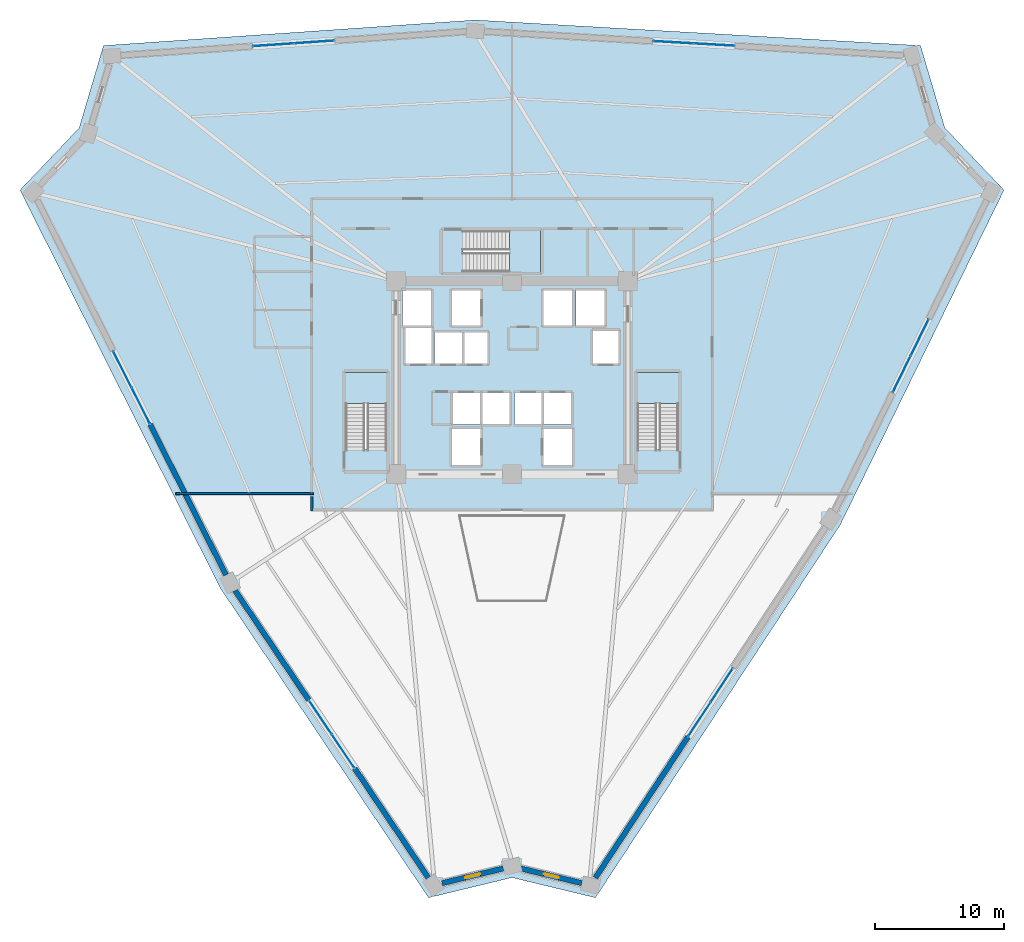
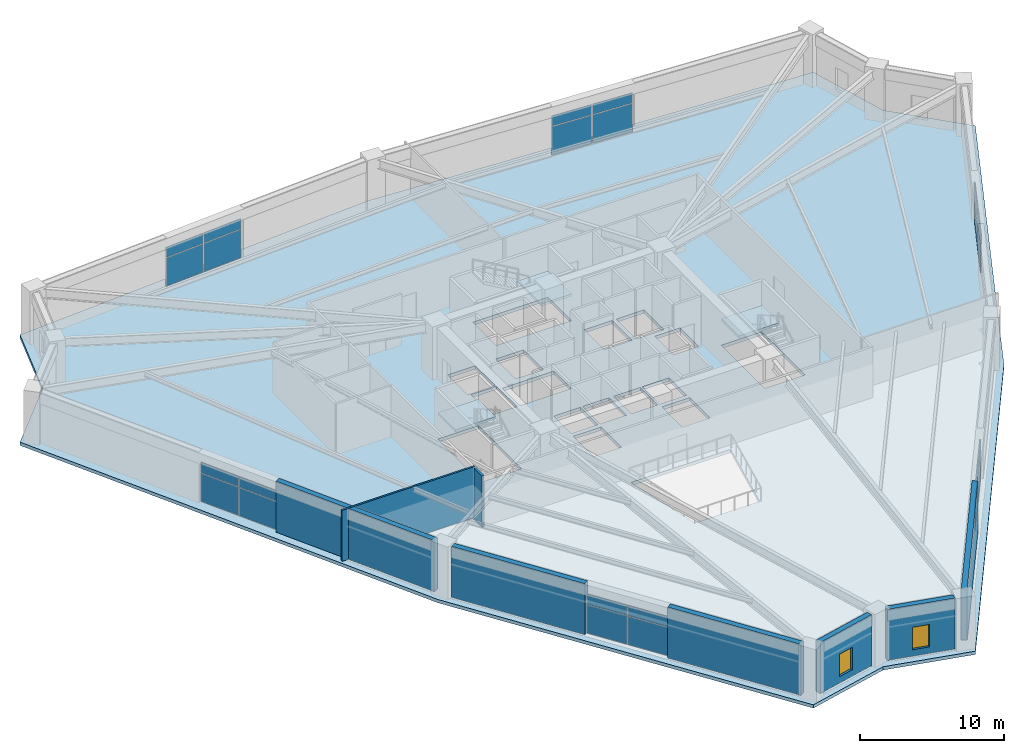
# One storey, part 24 of 30: 24 plates, 8 walls, 4 slabs, 2 windows, 2 openings, 9 elements without a shape of their own.
"""IFC4 building model written with IfcOpenShell, lengths in metres."""

import ifcopenshell
import ifcopenshell.guid

model = None  # the IFC model being written
_history = None  # IfcOwnerHistory: only IFC2X3 demands one
_inside = {}  # id of a spatial element -> (the spatial element, [elements in it])
_under = {}  # id of a project, library or spatial element -> (it, [spatial elements below it])
_declared = {}  # id of a project -> (the project, [libraries it declares])
_typed = {}  # id of a type object -> (the type object, [elements of that type])
_made_of = {}  # id of a material, layer set ... -> (it, [elements and type objects made of it])


def new_model(schema):
    """Start an empty IFC model of exactly this schema.

    Asked for "IFC4X3", IfcOpenShell would pick the latest addendum, in which some entities
    have other attributes; the version numbers below select the first issue.
    IFC2X3 requires an IfcOwnerHistory on every rooted entity: one is made here for all.
    """
    global model, _history
    if schema == "IFC4X3":
        model = ifcopenshell.file(schema_version=(4, 3, 0, 0))
    else:
        model = ifcopenshell.file(schema=schema)
    _inside.clear()
    _under.clear()
    _declared.clear()
    _typed.clear()
    _made_of.clear()
    _history = None
    if model.schema == "IFC2X3":
        org = make("IfcOrganization", Name="unknown")
        user = make(
            "IfcPersonAndOrganization",
            ThePerson=make("IfcPerson", FamilyName="unknown"),
            TheOrganization=org,
        )
        app = make(
            "IfcApplication",
            ApplicationDeveloper=org,
            Version="unknown",
            ApplicationFullName="unknown",
            ApplicationIdentifier="unknown",
        )
        _history = make(
            "IfcOwnerHistory",
            OwningUser=user,
            OwningApplication=app,
            ChangeAction="ADDED",
            CreationDate=0,
        )
    return model


def make(cls, **values):
    """One entity of the class cls with the attributes given. An attribute that is None is left unset."""
    return model.create_entity(
        cls, **{name: value for name, value in values.items() if value is not None}
    )


def rooted(cls, **values):
    """An entity with a GlobalId (a new one), such as an element, a storey or a relation."""
    return make(cls, GlobalId=ifcopenshell.guid.new(), OwnerHistory=_history, **values)


def si_unit(unit_type, name, prefix=None):
    """IfcSIUnit, for example si_unit("LENGTHUNIT", "METRE", prefix="MILLI")."""
    return make("IfcSIUnit", UnitType=unit_type, Prefix=prefix, Name=name)


def assignment(units):
    """IfcUnitAssignment: the units of a project."""
    return None if units is None else make("IfcUnitAssignment", Units=units)


def point(xyz):
    """IfcCartesianPoint."""
    return None if xyz is None else make("IfcCartesianPoint", Coordinates=xyz)


def direction(xyz):
    """IfcDirection."""
    return None if xyz is None else make("IfcDirection", DirectionRatios=xyz)


def frame(location, z_axis=None, x_axis=None):
    """IfcAxis2Placement3D, a coordinate frame: its origin and axes. An axis left out is left unset."""
    return make(
        "IfcAxis2Placement3D",
        Location=point(location),
        Axis=direction(z_axis),
        RefDirection=direction(x_axis),
    )


def frame_2d(location, x_axis=None):
    """IfcAxis2Placement2D, a coordinate frame in the plane: its origin and x axis."""
    return make(
        "IfcAxis2Placement2D", Location=point(location), RefDirection=direction(x_axis)
    )


def origin():
    """The frame at (0, 0, 0) with its axes left unset."""
    return frame((0.0, 0.0, 0.0))


def origin_2d():
    """The frame at (0, 0) in the plane with its x axis left unset."""
    return frame_2d((0.0, 0.0))


def place(relative_to, where):
    """IfcLocalPlacement: puts the frame where relative to a parent placement (None: the world)."""
    return make(
        "IfcLocalPlacement", PlacementRelTo=relative_to, RelativePlacement=where
    )


def context(
    kind, dimensions, precision=None, world=None, true_north=None, identifier=None
):
    """IfcGeometricRepresentationContext, for example the 3D "Model" context."""
    return make(
        "IfcGeometricRepresentationContext",
        ContextIdentifier=identifier,
        ContextType=kind,
        CoordinateSpaceDimension=dimensions,
        Precision=precision,
        WorldCoordinateSystem=world,
        TrueNorth=true_north,
    )


def subcontext(parent, identifier, kind, view, scale=None):
    """IfcGeometricRepresentationSubContext, for example "Body" below "Model"."""
    return make(
        "IfcGeometricRepresentationSubContext",
        ContextIdentifier=identifier,
        ContextType=kind,
        ParentContext=parent,
        TargetScale=scale,
        TargetView=view,
    )


def project(units=None, contexts=None):
    """IfcProject with its units and contexts."""
    return rooted(
        "IfcProject",
        Name="project",
        RepresentationContexts=contexts,
        UnitsInContext=assignment(units),
    )


def spatial(cls, under=None, at=None, **own):
    """A site, building, storey or space (cls), placed at a placement, below another one or the project."""
    s = rooted(cls, ObjectPlacement=at, **own)
    if under is not None:
        _under.setdefault(under.id(), (under, []))[1].append(s)
    return s


def polyline(points):
    """IfcPolyline through the points."""
    return make("IfcPolyline", Points=[point(p) for p in points])


def profile(cls, at=None, kind="AREA", **sizes):
    """A parametric profile (cls). Its sizes go by their IFC names, for example OverallWidth=200.0."""
    return make(cls, ProfileType=kind, Position=at, **sizes)


def rectangle(**sizes):
    """IfcRectangleProfileDef."""
    return profile("IfcRectangleProfileDef", **sizes)


def outline(outer, holes=None, kind="AREA"):
    """IfcArbitraryClosedProfileDef: a profile drawn as a closed curve; with holes, ...WithVoids."""
    if holes is None:
        return make("IfcArbitraryClosedProfileDef", ProfileType=kind, OuterCurve=outer)
    return make(
        "IfcArbitraryProfileDefWithVoids",
        ProfileType=kind,
        OuterCurve=outer,
        InnerCurves=holes,
    )


def extrude(swept, where, along, depth):
    """IfcExtrudedAreaSolid: the profile swept, set in the frame where, extruded along a direction by depth."""
    return make(
        "IfcExtrudedAreaSolid",
        SweptArea=swept,
        Position=where,
        ExtrudedDirection=direction(along),
        Depth=depth,
    )


def shape(context_of_items, identifier, shape_type, items):
    """IfcShapeRepresentation: the items that make up one representation, for example the "Body"."""
    return make(
        "IfcShapeRepresentation",
        ContextOfItems=context_of_items,
        RepresentationIdentifier=identifier,
        RepresentationType=shape_type,
        Items=items,
    )


def source(mapping_origin, context_of_items, identifier, shape_type, items):
    """IfcRepresentationMap: a shape defined once, which mapped items show again and again."""
    return make(
        "IfcRepresentationMap",
        MappingOrigin=mapping_origin,
        MappedRepresentation=shape(context_of_items, identifier, shape_type, items),
    )


def transform(
    local_origin,
    x_axis=None,
    y_axis=None,
    z_axis=None,
    scale=None,
    scale2=None,
    scale3=None,
    uniform=True,
):
    """IfcCartesianTransformationOperator3D, or its non-uniform kind. x_axis, y_axis, z_axis: its Axis1, 2, 3."""
    if uniform:
        return make(
            "IfcCartesianTransformationOperator3D",
            Axis1=direction(x_axis),
            Axis2=direction(y_axis),
            LocalOrigin=point(local_origin),
            Scale=scale,
            Axis3=direction(z_axis),
        )
    return make(
        "IfcCartesianTransformationOperator3DnonUniform",
        Axis1=direction(x_axis),
        Axis2=direction(y_axis),
        LocalOrigin=point(local_origin),
        Scale=scale,
        Axis3=direction(z_axis),
        Scale2=scale2,
        Scale3=scale3,
    )


def mapped(mapping_source, mapping_target):
    """IfcMappedItem: shows the shape of a source again, moved by a transform."""
    return make(
        "IfcMappedItem", MappingSource=mapping_source, MappingTarget=mapping_target
    )


def material(Name=None, Category=None):
    """IfcMaterial."""
    return make("IfcMaterial", Name=Name, Category=Category)


def layer(
    of_material, thickness, ventilated=None, Name=None, Category=None, Priority=None
):
    """IfcMaterialLayer: one layer of a wall or slab, of a material (None: an air gap)."""
    return make(
        "IfcMaterialLayer",
        Material=of_material,
        LayerThickness=thickness,
        IsVentilated=ventilated,
        Name=Name,
        Category=Category,
        Priority=Priority,
    )


def layer_set(layers, Name=None):
    """IfcMaterialLayerSet."""
    return make("IfcMaterialLayerSet", MaterialLayers=layers, LayerSetName=Name)


def made_of(thing, what):
    """Note that an element or type object is made of a material, layer set ...; save() writes the relation."""
    if what is not None:
        _made_of.setdefault(what.id(), (what, []))[1].append(thing)
    return thing


def type_object(cls, material=None, **own):
    """A type object (cls), such as IfcWallType, which elements share."""
    return made_of(rooted(cls, **own), material)


def element(
    cls,
    number,
    at=None,
    inside=None,
    cuts=None,
    type_object=None,
    material=None,
    context=None,
    identifier="Body",
    shape_type=None,
    held_by="IfcProductDefinitionShape",
    body=None,
    shapes=None,
    **own,
):
    """One element of the class cls, such as IfcWall. Its Tag is "e" and its number.

    at: its placement. inside: the storey or other place that contains it. cuts: it is an
    opening in that element (IfcRelVoidsElement). A single representation is given by context,
    identifier, shape_type and body (its items); several are given by shapes. held_by: the class
    of the entity that holds the representations. save() writes the other relations.
    """
    e = rooted(cls, Tag="e%d" % number, ObjectPlacement=at, **own)
    if body is not None:
        shapes = [shape(context, identifier, shape_type, body)]
    if shapes is not None:
        e.Representation = make(held_by, Representations=shapes)
    if inside is not None:
        _inside.setdefault(inside.id(), (inside, []))[1].append(e)
    if cuts is not None:
        rooted(
            "IfcRelVoidsElement", RelatingBuildingElement=cuts, RelatedOpeningElement=e
        )
    if type_object is not None:
        _typed.setdefault(type_object.id(), (type_object, []))[1].append(e)
    return made_of(e, material)


def fill(opening, filler):
    """IfcRelFillsElement: the door or window that sits in an opening."""
    return rooted(
        "IfcRelFillsElement",
        RelatingOpeningElement=opening,
        RelatedBuildingElement=filler,
    )


def aggregate(whole, parts):
    """IfcRelAggregates: a whole, such as a stair, and the parts it consists of."""
    return rooted("IfcRelAggregates", RelatingObject=whole, RelatedObjects=parts)


def save(model, path):
    """Write the relations noted so far, then the file.

    IfcRelAggregates (storeys below a building ...), IfcRelContainedInSpatialStructure (elements
    in a storey), IfcRelDefinesByType, IfcRelAssociatesMaterial and IfcRelDeclares: one each for
    every whole, place, type object, material and project.
    """
    for whole, parts in _under.values():
        aggregate(whole, parts)
    for where, things in _inside.values():
        rooted(
            "IfcRelContainedInSpatialStructure",
            RelatedElements=things,
            RelatingStructure=where,
        )
    for kind, things in _typed.values():
        rooted("IfcRelDefinesByType", RelatedObjects=things, RelatingType=kind)
    for what, things in _made_of.values():
        rooted("IfcRelAssociatesMaterial", RelatedObjects=things, RelatingMaterial=what)
    for by, libraries in _declared.values():
        rooted("IfcRelDeclares", RelatingContext=by, RelatedDefinitions=libraries)
    model.write(path)


model = new_model("IFC4")

# Units and contexts
model_context = context("Model", 3, precision=1e-05, world=origin(), true_north=direction((0.0, 1.0)))
body_context = subcontext(model_context, "Body", "Model", "MODEL_VIEW")
ifc_project = project(units=[si_unit("LENGTHUNIT", "METRE"), si_unit("AREAUNIT", "SQUARE_METRE"), si_unit("VOLUMEUNIT", "CUBIC_METRE"), si_unit("PLANEANGLEUNIT", "RADIAN"), si_unit("MASSUNIT", "GRAM", prefix="KILO")], contexts=[model_context])

# Site, building, storey
site_placement = place(None, origin())
site = spatial("IfcSite", under=ifc_project, at=site_placement, CompositionType="ELEMENT")
building_placement = place(site_placement, origin())
building = spatial("IfcBuilding", under=site, at=building_placement, Name="Liaohun Quay Tower", CompositionType="ELEMENT")
storey_placement = place(building_placement, frame((0.0, 0.0, 97.5)))
storey = spatial("IfcBuildingStorey", under=building, at=storey_placement, Name="L25", CompositionType="ELEMENT", Elevation=97.5)

# Stair, slab
ifc_material_1 = material(Name="Concrete C45", Category="concrete")
stair_type = type_object("IfcStairType", Name="STR-CORE-TALL", PredefinedType="HALF_TURN_STAIR", material=ifc_material_1)
stair_1_placement = place(storey_placement, origin())
stair_1 = element("IfcStair", 1, at=stair_1_placement, inside=storey, type_object=stair_type, Name="L25 Smokeproof Core Exit Stair ST-1", PredefinedType="HALF_TURN_STAIR")
ifc_layer_1 = layer(ifc_material_1, 0.199951171875, Name="Concrete C45", Category="concrete")
ifc_layer_set_1 = layer_set([ifc_layer_1], Name="Concrete C45")
slab_type_1 = type_object("IfcSlabType", Name="SLB-LND-200", PredefinedType="LANDING", material=ifc_layer_set_1)
slab_1_placement = place(storey_placement, frame((0.0, 0.0, 2.050048828125)))
slab_1 = element("IfcSlab", 2, at=slab_1_placement, type_object=slab_type_1, Name="ST-1 landing 1", PredefinedType="LANDING", context=body_context, shape_type="SweptSolid", body=[
    extrude(outline(polyline([(50.280029296875, 51.989990234375), (50.280029296875, 54.419921875), (47.0400390625, 54.419921875), (47.0400390625, 51.989990234375), (50.280029296875, 51.989990234375)])), origin(), (0.0, 0.0, 1.0), 0.199951171875),
])
aggregate(stair_1, [slab_1])

stair_2_placement = place(storey_placement, origin())
stair_2 = element("IfcStair", 3, at=stair_2_placement, inside=storey, type_object=stair_type, Name="L25 Smokeproof Core Exit Stair ST-2", PredefinedType="HALF_TURN_STAIR")
slab_2_placement = place(storey_placement, frame((0.0, 0.0, 2.050048828125)))
slab_2 = element("IfcSlab", 4, at=slab_2_placement, type_object=slab_type_1, Name="ST-2 landing 1", PredefinedType="LANDING", context=body_context, shape_type="SweptSolid", body=[
    extrude(outline(polyline([(72.9599609375, 51.989990234375), (72.9599609375, 54.419921875), (69.719970703125, 54.419921875), (69.719970703125, 51.989990234375), (72.9599609375, 51.989990234375)])), origin(), (0.0, 0.0, 1.0), 0.199951171875),
])
aggregate(stair_2, [slab_2])

stair_3_placement = place(storey_placement, origin())
stair_3 = element("IfcStair", 5, at=stair_3_placement, inside=storey, type_object=stair_type, Name="L25 Smokeproof Core Exit Stair ST-3", PredefinedType="HALF_TURN_STAIR")
slab_3_placement = place(storey_placement, frame((0.0, 0.0, 2.050048828125)))
slab_3 = element("IfcSlab", 6, at=slab_3_placement, type_object=slab_type_1, Name="ST-3 landing 1", PredefinedType="LANDING", context=body_context, shape_type="SweptSolid", body=[
    extrude(outline(polyline([(59.7900390625, 62.199951171875), (62.219970703125, 62.199951171875), (62.219970703125, 65.43994140625), (59.7900390625, 65.43994140625), (59.7900390625, 62.199951171875)])), origin(), (0.0, 0.0, 1.0), 0.199951171875),
])
aggregate(stair_3, [slab_3])

# Slab
ifc_material_2 = material(Name="Concrete C50", Category="concrete")
ifc_layer_2 = layer(ifc_material_2, 0.280029296875, Name="Concrete C50", Category="concrete")
ifc_layer_set_2 = layer_set([ifc_layer_2], Name="Concrete C50")
slab_type_2 = type_object("IfcSlabType", Name="SLB-REF-280", PredefinedType="FLOOR", material=ifc_layer_set_2)
slab_4_placement = place(storey_placement, frame((0.0, 0.0, -0.280029296875)))
element("IfcSlab", 7, at=slab_4_placement, inside=storey, type_object=slab_type_2, Name="L25 Structural Floor Slab", PredefinedType="FLOOR", context=body_context, shape_type="SweptSolid", body=[
    extrude(outline(polyline([(53.51708984375, 13.60302734375), (60.0, 15.1689453125), (66.48291015625, 13.60302734375), (85.5029296875, 42.574951171875), (98.22607421875, 68.583984375), (93.62890625, 73.416015625), (91.742919921875, 79.81298828125), (57.14306640625, 81.799072265625), (28.257080078125, 79.81298828125), (26.37109375, 73.416015625), (21.77392578125, 68.583984375), (37.35400390625, 37.626953125), (53.51708984375, 13.60302734375)]), holes=[polyline([(57.56005859375, 47.2099609375), (57.56005859375, 50.030029296875), (55.340087890625, 50.030029296875), (55.340087890625, 47.2099609375), (57.56005859375, 47.2099609375)]), polyline([(50.280029296875, 54.419921875), (47.0400390625, 54.419921875), (47.0400390625, 48.409912109375), (50.280029296875, 48.409912109375), (50.280029296875, 54.419921875)]), polyline([(57.510009765625, 50.389892578125), (57.510009765625, 52.81005859375), (55.389892578125, 52.81005859375), (55.389892578125, 50.389892578125), (57.510009765625, 50.389892578125)]), polyline([(59.81005859375, 50.389892578125), (59.81005859375, 52.81005859375), (57.68994140625, 52.81005859375), (57.68994140625, 50.389892578125), (59.81005859375, 50.389892578125)]), polyline([(58.110107421875, 57.510009765625), (53.989990234375, 57.510009765625), (53.989990234375, 55.090087890625), (58.110107421875, 55.090087890625), (58.110107421875, 57.510009765625)]), polyline([(53.760009765625, 55.090087890625), (53.760009765625, 57.909912109375), (51.7099609375, 57.909912109375), (51.7099609375, 55.090087890625), (53.760009765625, 55.090087890625)]), polyline([(51.489990234375, 58.0400390625), (53.7099609375, 58.0400390625), (53.7099609375, 60.7900390625), (51.489990234375, 60.7900390625), (51.489990234375, 58.0400390625)]), polyline([(55.340087890625, 58.0400390625), (57.56005859375, 58.0400390625), (57.56005859375, 60.7900390625), (55.340087890625, 60.7900390625), (55.340087890625, 58.0400390625)]), polyline([(62.591064453125, 36.7470703125), (63.986083984375, 43.199951171875), (56.013916015625, 43.199951171875), (57.408935546875, 36.7470703125), (62.591064453125, 36.7470703125)]), polyline([(64.659912109375, 47.2099609375), (64.659912109375, 50.030029296875), (62.43994140625, 50.030029296875), (62.43994140625, 47.2099609375), (64.659912109375, 47.2099609375)]), polyline([(72.9599609375, 54.419921875), (69.719970703125, 54.419921875), (69.719970703125, 48.409912109375), (72.9599609375, 48.409912109375), (72.9599609375, 54.419921875)]), polyline([(62.31005859375, 50.389892578125), (62.31005859375, 52.81005859375), (60.18994140625, 52.81005859375), (60.18994140625, 50.389892578125), (62.31005859375, 50.389892578125)]), polyline([(64.610107421875, 50.389892578125), (64.610107421875, 52.81005859375), (62.489990234375, 52.81005859375), (62.489990234375, 50.389892578125), (64.610107421875, 50.389892578125)]), polyline([(68.2900390625, 55.090087890625), (68.2900390625, 57.659912109375), (66.2900390625, 57.659912109375), (66.2900390625, 55.090087890625), (68.2900390625, 55.090087890625)]), polyline([(64.659912109375, 58.0400390625), (64.659912109375, 60.7900390625), (62.43994140625, 60.7900390625), (62.43994140625, 58.0400390625), (64.659912109375, 58.0400390625)]), polyline([(64.989990234375, 58.0400390625), (67.2099609375, 58.0400390625), (67.2099609375, 60.7900390625), (64.989990234375, 60.7900390625), (64.989990234375, 58.0400390625)]), polyline([(56.2099609375, 62.199951171875), (62.219970703125, 62.199951171875), (62.219970703125, 65.43994140625), (56.2099609375, 65.43994140625), (56.2099609375, 62.199951171875)])]), origin(), (0.0, 0.0, 1.0), 0.280029296875),
])

# Curtain wall, plates
ifc_material_3 = material(Name="Low-rise sky-lobby belvedere curtain wall")
ifc_layer_3 = layer(ifc_material_3, 0.199951171875, Name="Low-rise sky-lobby belvedere curtain wall")
ifc_layer_set_3 = layer_set([ifc_layer_3], Name="Low-rise sky-lobby belvedere curtain wall")
curtain_wall_type = type_object("IfcCurtainWallType", Name="CW-SKY-L25", PredefinedType="NOTDEFINED", material=ifc_layer_set_3)
curtain_wall_1_placement = place(storey_placement, origin())
curtain_wall_1 = element("IfcCurtainWall", 8, at=curtain_wall_1_placement, inside=storey, type_object=curtain_wall_type, Name="L25 Panoramic Belvedere Curtain Wall 01", PredefinedType="NOTDEFINED")
ifc_material_4 = material(Name="Triple Low-E clear insulated glass unit", Category="glass")
ifc_layer_4 = layer(ifc_material_4, 0.0439453125, Name="Triple Low-E clear insulated glass unit", Category="glass")
ifc_layer_set_4 = layer_set([ifc_layer_4], Name="Triple Low-E clear insulated glass unit")
plate_type = type_object("IfcPlateType", Name="PLT-CWP-GLZ1", PredefinedType="CURTAIN_PANEL", material=ifc_layer_set_4)
shared_shape_1 = source(origin(), body_context, "Body", "SweptSolid", [
    extrude(rectangle(XDim=3.102783203125, YDim=0.0439453125, at=origin_2d()), origin(), (0.0, 0.0, 1.0), 2.3720703125),
])
plate_1_placement = place(storey_placement, frame((74.56298828125, 27.459228515625, 0.06005859375), z_axis=(0.0, 0.0, 1.0), x_axis=(0.548700805343, 0.836018795372, 0.0)))
plate_1 = element("IfcPlate", 9, at=plate_1_placement, type_object=plate_type, Name="CW3 panel 1.1", PredefinedType="CURTAIN_PANEL", context=body_context, shape_type="MappedRepresentation", body=[
    mapped(shared_shape_1, transform((0.0, 0.0, 0.0), x_axis=(1.0, 0.0, 0.0), y_axis=(0.0, 1.0, 0.0), z_axis=(0.0, 0.0, 1.0), scale=1.0)),
])
plate_2_placement = place(storey_placement, frame((76.301025390625, 30.107666015625, 0.06005859375), z_axis=(0.0, 0.0, 1.0), x_axis=(0.548700805343, 0.836018795372, 0.0)))
plate_2 = element("IfcPlate", 10, at=plate_2_placement, type_object=plate_type, Name="CW3 panel 2.1", PredefinedType="CURTAIN_PANEL", context=body_context, shape_type="MappedRepresentation", body=[
    mapped(shared_shape_1, transform((0.0, 0.0, 0.0), x_axis=(1.0, 0.0, 0.0), y_axis=(0.0, 1.0, 0.0), z_axis=(0.0, 0.0, 1.0), scale=1.0)),
])
shared_shape_2 = source(origin(), body_context, "Body", "SweptSolid", [
    extrude(rectangle(XDim=3.102783203125, YDim=0.0439453125, at=origin_2d()), origin(), (0.0, 0.0, 1.0), 0.867919921875),
])
plate_3_placement = place(storey_placement, frame((74.56298828125, 27.459228515625, 2.4921875), z_axis=(0.0, 0.0, 1.0), x_axis=(0.548700805343, 0.836018795372, 0.0)))
plate_3 = element("IfcPlate", 11, at=plate_3_placement, type_object=plate_type, Name="CW3 panel 1.2", PredefinedType="CURTAIN_PANEL", context=body_context, shape_type="MappedRepresentation", body=[
    mapped(shared_shape_2, transform((0.0, 0.0, 0.0), x_axis=(1.0, 0.0, 0.0), y_axis=(0.0, 1.0, 0.0), z_axis=(0.0, 0.0, 1.0), scale=1.0)),
])
plate_4_placement = place(storey_placement, frame((76.301025390625, 30.107666015625, 2.4921875), z_axis=(0.0, 0.0, 1.0), x_axis=(0.548700805343, 0.836018795372, 0.0)))
plate_4 = element("IfcPlate", 12, at=plate_4_placement, type_object=plate_type, Name="CW3 panel 2.2", PredefinedType="CURTAIN_PANEL", context=body_context, shape_type="MappedRepresentation", body=[
    mapped(shared_shape_2, transform((0.0, 0.0, 0.0), x_axis=(1.0, 0.0, 0.0), y_axis=(0.0, 1.0, 0.0), z_axis=(0.0, 0.0, 1.0), scale=1.0)),
])
aggregate(curtain_wall_1, [plate_1, plate_3, plate_2, plate_4])

curtain_wall_2_placement = place(storey_placement, origin())
curtain_wall_2 = element("IfcCurtainWall", 13, at=curtain_wall_2_placement, inside=storey, type_object=curtain_wall_type, Name="L25 Panoramic Belvedere Curtain Wall 02", PredefinedType="NOTDEFINED")
shared_shape_3 = source(origin(), body_context, "Body", "SweptSolid", [
    extrude(rectangle(XDim=3.1025390625, YDim=0.0439453125, at=origin_2d()), origin(), (0.0, 0.0, 1.0), 2.3720703125),
])
plate_5_placement = place(storey_placement, frame((90.287109375, 54.288818359375, 0.06005859375), z_axis=(0.0, 0.0, 1.0), x_axis=(0.439383876809, 0.898299398197, 0.0)))
plate_5 = element("IfcPlate", 14, at=plate_5_placement, type_object=plate_type, Name="CW3 panel 1.1", PredefinedType="CURTAIN_PANEL", context=body_context, shape_type="MappedRepresentation", body=[
    mapped(shared_shape_3, transform((0.0, 0.0, 0.0), x_axis=(1.0, 0.0, 0.0), y_axis=(0.0, 1.0, 0.0), z_axis=(0.0, 0.0, 1.0), scale=1.0)),
])
plate_6_placement = place(storey_placement, frame((91.678955078125, 57.134033203125, 0.06005859375), z_axis=(0.0, 0.0, 1.0), x_axis=(0.439383876809, 0.898299398197, 0.0)))
plate_6 = element("IfcPlate", 15, at=plate_6_placement, type_object=plate_type, Name="CW3 panel 2.1", PredefinedType="CURTAIN_PANEL", context=body_context, shape_type="MappedRepresentation", body=[
    mapped(shared_shape_3, transform((0.0, 0.0, 0.0), x_axis=(1.0, 0.0, 0.0), y_axis=(0.0, 1.0, 0.0), z_axis=(0.0, 0.0, 1.0), scale=1.0)),
])

curtain_wall_3_placement = place(storey_placement, origin())
curtain_wall_3 = element("IfcCurtainWall", 16, at=curtain_wall_3_placement, inside=storey, type_object=curtain_wall_type, Name="L25 Panoramic Belvedere Curtain Wall 04", PredefinedType="NOTDEFINED")
plate_7_placement = place(storey_placement, frame((44.6064453125, 80.085205078125, 0.06005859375), z_axis=(0.0, 0.0, 1.0), x_axis=(-0.997644729413, -0.068592957908, 0.0)))
plate_7 = element("IfcPlate", 17, at=plate_7_placement, type_object=plate_type, Name="CW3 panel 1.1", PredefinedType="CURTAIN_PANEL", context=body_context, shape_type="MappedRepresentation", body=[
    mapped(shared_shape_3, transform((0.0, 0.0, 0.0), x_axis=(1.0, 0.0, 0.0), y_axis=(0.0, 1.0, 0.0), z_axis=(0.0, 0.0, 1.0), scale=1.0)),
])
plate_8_placement = place(storey_placement, frame((41.446533203125, 79.867919921875, 0.06005859375), z_axis=(0.0, 0.0, 1.0), x_axis=(-0.997644729413, -0.068592957908, 0.0)))
plate_8 = element("IfcPlate", 18, at=plate_8_placement, type_object=plate_type, Name="CW3 panel 2.1", PredefinedType="CURTAIN_PANEL", context=body_context, shape_type="MappedRepresentation", body=[
    mapped(shared_shape_3, transform((0.0, 0.0, 0.0), x_axis=(1.0, 0.0, 0.0), y_axis=(0.0, 1.0, 0.0), z_axis=(0.0, 0.0, 1.0), scale=1.0)),
])

curtain_wall_4_placement = place(storey_placement, origin())
curtain_wall_4 = element("IfcCurtainWall", 19, at=curtain_wall_4_placement, inside=storey, type_object=curtain_wall_type, Name="L25 Panoramic Belvedere Curtain Wall 05", PredefinedType="NOTDEFINED")
plate_9_placement = place(storey_placement, frame((29.733642578125, 54.6591796875, 0.06005859375), z_axis=(0.0, 0.0, 1.0), x_axis=(0.449524566445, -0.893267968844, 0.0)))
plate_9 = element("IfcPlate", 20, at=plate_9_placement, type_object=plate_type, Name="CW3 panel 1.1", PredefinedType="CURTAIN_PANEL", context=body_context, shape_type="MappedRepresentation", body=[
    mapped(shared_shape_3, transform((0.0, 0.0, 0.0), x_axis=(1.0, 0.0, 0.0), y_axis=(0.0, 1.0, 0.0), z_axis=(0.0, 0.0, 1.0), scale=1.0)),
])
plate_10_placement = place(storey_placement, frame((31.157470703125, 51.829833984375, 0.06005859375), z_axis=(0.0, 0.0, 1.0), x_axis=(0.449524566445, -0.893267968844, 0.0)))
plate_10 = element("IfcPlate", 21, at=plate_10_placement, type_object=plate_type, Name="CW3 panel 2.1", PredefinedType="CURTAIN_PANEL", context=body_context, shape_type="MappedRepresentation", body=[
    mapped(shared_shape_3, transform((0.0, 0.0, 0.0), x_axis=(1.0, 0.0, 0.0), y_axis=(0.0, 1.0, 0.0), z_axis=(0.0, 0.0, 1.0), scale=1.0)),
])

# Plate
shared_shape_4 = source(origin(), body_context, "Body", "SweptSolid", [
    extrude(rectangle(XDim=3.1025390625, YDim=0.0439453125, at=origin_2d()), origin(), (0.0, 0.0, 1.0), 0.867919921875),
])
plate_11_placement = place(storey_placement, frame((90.287109375, 54.288818359375, 2.4921875), z_axis=(0.0, 0.0, 1.0), x_axis=(0.439383876809, 0.898299398197, 0.0)))
plate_11 = element("IfcPlate", 22, at=plate_11_placement, type_object=plate_type, Name="CW3 panel 1.2", PredefinedType="CURTAIN_PANEL", context=body_context, shape_type="MappedRepresentation", body=[
    mapped(shared_shape_4, transform((0.0, 0.0, 0.0), x_axis=(1.0, 0.0, 0.0), y_axis=(0.0, 1.0, 0.0), z_axis=(0.0, 0.0, 1.0), scale=1.0)),
])

plate_12_placement = place(storey_placement, frame((91.678955078125, 57.134033203125, 2.4921875), z_axis=(0.0, 0.0, 1.0), x_axis=(0.439383876809, 0.898299398197, 0.0)))
plate_12 = element("IfcPlate", 23, at=plate_12_placement, type_object=plate_type, Name="CW3 panel 2.2", PredefinedType="CURTAIN_PANEL", context=body_context, shape_type="MappedRepresentation", body=[
    mapped(shared_shape_4, transform((0.0, 0.0, 0.0), x_axis=(1.0, 0.0, 0.0), y_axis=(0.0, 1.0, 0.0), z_axis=(0.0, 0.0, 1.0), scale=1.0)),
])

aggregate(curtain_wall_2, [plate_5, plate_11, plate_6, plate_12])

plate_13_placement = place(storey_placement, frame((44.6064453125, 80.085205078125, 2.4921875), z_axis=(0.0, 0.0, 1.0), x_axis=(-0.997644729413, -0.068592957908, 0.0)))
plate_13 = element("IfcPlate", 24, at=plate_13_placement, type_object=plate_type, Name="CW3 panel 1.2", PredefinedType="CURTAIN_PANEL", context=body_context, shape_type="MappedRepresentation", body=[
    mapped(shared_shape_4, transform((0.0, 0.0, 0.0), x_axis=(1.0, 0.0, 0.0), y_axis=(0.0, 1.0, 0.0), z_axis=(0.0, 0.0, 1.0), scale=1.0)),
])

plate_14_placement = place(storey_placement, frame((41.446533203125, 79.867919921875, 2.4921875), z_axis=(0.0, 0.0, 1.0), x_axis=(-0.997644729413, -0.068592957908, 0.0)))
plate_14 = element("IfcPlate", 25, at=plate_14_placement, type_object=plate_type, Name="CW3 panel 2.2", PredefinedType="CURTAIN_PANEL", context=body_context, shape_type="MappedRepresentation", body=[
    mapped(shared_shape_4, transform((0.0, 0.0, 0.0), x_axis=(1.0, 0.0, 0.0), y_axis=(0.0, 1.0, 0.0), z_axis=(0.0, 0.0, 1.0), scale=1.0)),
])

aggregate(curtain_wall_3, [plate_7, plate_13, plate_8, plate_14])

plate_15_placement = place(storey_placement, frame((29.733642578125, 54.6591796875, 2.4921875), z_axis=(0.0, 0.0, 1.0), x_axis=(0.449524566445, -0.893267968844, 0.0)))
plate_15 = element("IfcPlate", 26, at=plate_15_placement, type_object=plate_type, Name="CW3 panel 1.2", PredefinedType="CURTAIN_PANEL", context=body_context, shape_type="MappedRepresentation", body=[
    mapped(shared_shape_4, transform((0.0, 0.0, 0.0), x_axis=(1.0, 0.0, 0.0), y_axis=(0.0, 1.0, 0.0), z_axis=(0.0, 0.0, 1.0), scale=1.0)),
])

plate_16_placement = place(storey_placement, frame((31.157470703125, 51.829833984375, 2.4921875), z_axis=(0.0, 0.0, 1.0), x_axis=(0.449524566445, -0.893267968844, 0.0)))
plate_16 = element("IfcPlate", 27, at=plate_16_placement, type_object=plate_type, Name="CW3 panel 2.2", PredefinedType="CURTAIN_PANEL", context=body_context, shape_type="MappedRepresentation", body=[
    mapped(shared_shape_4, transform((0.0, 0.0, 0.0), x_axis=(1.0, 0.0, 0.0), y_axis=(0.0, 1.0, 0.0), z_axis=(0.0, 0.0, 1.0), scale=1.0)),
])

aggregate(curtain_wall_4, [plate_9, plate_15, plate_10, plate_16])

# Curtain wall, plates
curtain_wall_5_placement = place(storey_placement, origin())
curtain_wall_5 = element("IfcCurtainWall", 28, at=curtain_wall_5_placement, inside=storey, type_object=curtain_wall_type, Name="L25 Panoramic Belvedere Curtain Wall 03", PredefinedType="NOTDEFINED")
shared_shape_5 = source(origin(), body_context, "Body", "SweptSolid", [
    extrude(rectangle(XDim=3.102294921875, YDim=0.0439453125, at=origin_2d()), origin(), (0.0, 0.0, 1.0), 2.3720703125),
])
plate_17_placement = place(storey_placement, frame((75.70361328125, 79.88232421875, 0.06005859375), z_axis=(0.0, 0.0, 1.0), x_axis=(-0.998363186904, 0.057192193826, 0.0)))
plate_17 = element("IfcPlate", 29, at=plate_17_placement, type_object=plate_type, Name="CW3 panel 1.1", PredefinedType="CURTAIN_PANEL", context=body_context, shape_type="MappedRepresentation", body=[
    mapped(shared_shape_5, transform((0.0, 0.0, 0.0), x_axis=(1.0, 0.0, 0.0), y_axis=(0.0, 1.0, 0.0), z_axis=(0.0, 0.0, 1.0), scale=1.0)),
])
plate_18_placement = place(storey_placement, frame((72.54150390625, 80.0634765625, 0.06005859375), z_axis=(0.0, 0.0, 1.0), x_axis=(-0.998363186904, 0.057192193826, 0.0)))
plate_18 = element("IfcPlate", 30, at=plate_18_placement, type_object=plate_type, Name="CW3 panel 2.1", PredefinedType="CURTAIN_PANEL", context=body_context, shape_type="MappedRepresentation", body=[
    mapped(shared_shape_5, transform((0.0, 0.0, 0.0), x_axis=(1.0, 0.0, 0.0), y_axis=(0.0, 1.0, 0.0), z_axis=(0.0, 0.0, 1.0), scale=1.0)),
])
shared_shape_6 = source(origin(), body_context, "Body", "SweptSolid", [
    extrude(rectangle(XDim=3.102294921875, YDim=0.0439453125, at=origin_2d()), origin(), (0.0, 0.0, 1.0), 0.867919921875),
])
plate_19_placement = place(storey_placement, frame((75.70361328125, 79.88232421875, 2.4921875), z_axis=(0.0, 0.0, 1.0), x_axis=(-0.998363186904, 0.057192193826, 0.0)))
plate_19 = element("IfcPlate", 31, at=plate_19_placement, type_object=plate_type, Name="CW3 panel 1.2", PredefinedType="CURTAIN_PANEL", context=body_context, shape_type="MappedRepresentation", body=[
    mapped(shared_shape_6, transform((0.0, 0.0, 0.0), x_axis=(1.0, 0.0, 0.0), y_axis=(0.0, 1.0, 0.0), z_axis=(0.0, 0.0, 1.0), scale=1.0)),
])
plate_20_placement = place(storey_placement, frame((72.54150390625, 80.0634765625, 2.4921875), z_axis=(0.0, 0.0, 1.0), x_axis=(-0.998363186904, 0.057192193826, 0.0)))
plate_20 = element("IfcPlate", 32, at=plate_20_placement, type_object=plate_type, Name="CW3 panel 2.2", PredefinedType="CURTAIN_PANEL", context=body_context, shape_type="MappedRepresentation", body=[
    mapped(shared_shape_6, transform((0.0, 0.0, 0.0), x_axis=(1.0, 0.0, 0.0), y_axis=(0.0, 1.0, 0.0), z_axis=(0.0, 0.0, 1.0), scale=1.0)),
])
aggregate(curtain_wall_5, [plate_17, plate_19, plate_18, plate_20])

curtain_wall_6_placement = place(storey_placement, origin())
curtain_wall_6 = element("IfcCurtainWall", 33, at=curtain_wall_6_placement, inside=storey, type_object=curtain_wall_type, Name="L25 Panoramic Belvedere Curtain Wall 06", PredefinedType="NOTDEFINED")
shared_shape_7 = source(origin(), body_context, "Body", "SweptSolid", [
    extrude(rectangle(XDim=3.10302734375, YDim=0.0439453125, at=origin_2d()), origin(), (0.0, 0.0, 1.0), 2.3720703125),
])
plate_21_placement = place(storey_placement, frame((45.106201171875, 27.626708984375, 0.06005859375), z_axis=(0.0, 0.0, 1.0), x_axis=(0.558192336063, -0.829711586011, 0.0)))
plate_21 = element("IfcPlate", 34, at=plate_21_placement, type_object=plate_type, Name="CW3 panel 1.1", PredefinedType="CURTAIN_PANEL", context=body_context, shape_type="MappedRepresentation", body=[
    mapped(shared_shape_7, transform((0.0, 0.0, 0.0), x_axis=(1.0, 0.0, 0.0), y_axis=(0.0, 1.0, 0.0), z_axis=(0.0, 0.0, 1.0), scale=1.0)),
])
plate_22_placement = place(storey_placement, frame((46.874755859375, 24.998291015625, 0.06005859375), z_axis=(0.0, 0.0, 1.0), x_axis=(0.558192336063, -0.829711586011, 0.0)))
plate_22 = element("IfcPlate", 35, at=plate_22_placement, type_object=plate_type, Name="CW3 panel 2.1", PredefinedType="CURTAIN_PANEL", context=body_context, shape_type="MappedRepresentation", body=[
    mapped(shared_shape_7, transform((0.0, 0.0, 0.0), x_axis=(1.0, 0.0, 0.0), y_axis=(0.0, 1.0, 0.0), z_axis=(0.0, 0.0, 1.0), scale=1.0)),
])
shared_shape_8 = source(origin(), body_context, "Body", "SweptSolid", [
    extrude(rectangle(XDim=3.10302734375, YDim=0.0439453125, at=origin_2d()), origin(), (0.0, 0.0, 1.0), 0.867919921875),
])
plate_23_placement = place(storey_placement, frame((45.106201171875, 27.626708984375, 2.4921875), z_axis=(0.0, 0.0, 1.0), x_axis=(0.558192336063, -0.829711586011, 0.0)))
plate_23 = element("IfcPlate", 36, at=plate_23_placement, type_object=plate_type, Name="CW3 panel 1.2", PredefinedType="CURTAIN_PANEL", context=body_context, shape_type="MappedRepresentation", body=[
    mapped(shared_shape_8, transform((0.0, 0.0, 0.0), x_axis=(1.0, 0.0, 0.0), y_axis=(0.0, 1.0, 0.0), z_axis=(0.0, 0.0, 1.0), scale=1.0)),
])
plate_24_placement = place(storey_placement, frame((46.874755859375, 24.998291015625, 2.4921875), z_axis=(0.0, 0.0, 1.0), x_axis=(0.558192336063, -0.829711586011, 0.0)))
plate_24 = element("IfcPlate", 37, at=plate_24_placement, type_object=plate_type, Name="CW3 panel 2.2", PredefinedType="CURTAIN_PANEL", context=body_context, shape_type="MappedRepresentation", body=[
    mapped(shared_shape_8, transform((0.0, 0.0, 0.0), x_axis=(1.0, 0.0, 0.0), y_axis=(0.0, 1.0, 0.0), z_axis=(0.0, 0.0, 1.0), scale=1.0)),
])
aggregate(curtain_wall_6, [plate_21, plate_23, plate_22, plate_24])

# Wall, opening, window
ifc_material_5 = material(Name="Precast concrete C50 insulated sandwich", Category="concrete")
ifc_layer_5 = layer(ifc_material_5, 0.419921875, Name="Precast concrete C50 insulated sandwich", Category="concrete")
ifc_layer_set_5 = layer_set([ifc_layer_5], Name="Precast concrete C50 insulated sandwich")
wall_type_1 = type_object("IfcWallType", Name="WAL-EXT-Z12", PredefinedType="SOLIDWALL", material=ifc_layer_set_5)
wall_1_placement = place(storey_placement, frame((60.6708984375, 15.881103515625, 0.0), z_axis=(0.0, 0.0, 1.0), x_axis=(0.972061809767, -0.234725026346, 0.0)))
wall_1 = element("IfcWall", 38, at=wall_1_placement, inside=storey, type_object=wall_type_1, Name="L25 Corner Notch Precast Pier Wall 01", PredefinedType="SOLIDWALL", context=body_context, shape_type="SweptSolid", body=[
    extrude(rectangle(XDim=4.895751953125, YDim=0.419921875, at=frame_2d((2.44775390625, 0.0))), origin(), (0.0, 0.0, 1.0), 4.320068359375),
])
shared_shape_9 = source(origin(), body_context, "Body", "SweptSolid", [
    extrude(rectangle(XDim=1.199951171875, YDim=1.89990234375, at=frame_2d((0.60009765625, 0.949951171875))), frame((0.0, 0.219970703125, 0.0), z_axis=(0.0, -1.0, 0.0), x_axis=(1.0, 0.0, 0.0)), (0.0, 0.0, 1.0), 0.43994140625),
])
opening_1_placement = place(wall_1_placement, frame((1.847900390625, 0.0, 0.550048828125)))
opening_1 = element("IfcOpeningElement", 39, at=opening_1_placement, cuts=wall_1, Name="Opening W05", PredefinedType="OPENING", context=body_context, shape_type="MappedRepresentation", body=[
    mapped(shared_shape_9, transform((0.0, 0.0, 0.0), x_axis=(1.0, 0.0, 0.0), y_axis=(0.0, 1.0, 0.0), z_axis=(0.0, 0.0, 1.0), scale=1.0)),
])
ifc_material_6 = material(Name="Triple Low-E corner notch glazing", Category="glass")
window_type = type_object("IfcWindowType", Name="WIN-NOTCH", PartitioningType="SINGLE_PANEL", PredefinedType="WINDOW", material=ifc_material_6)
shared_shape_10 = source(origin(), body_context, "Body", "SweptSolid", [
    extrude(rectangle(XDim=1.199951171875, YDim=1.89990234375, at=frame_2d((0.60009765625, 0.949951171875))), frame((0.0, 0.030029296875, 0.0), z_axis=(0.0, -1.0, 0.0), x_axis=(1.0, 0.0, 0.0)), (0.0, 0.0, 1.0), 0.06005859375),
])
window_1_placement = place(opening_1_placement, origin())
window_1 = element("IfcWindow", 40, at=window_1_placement, inside=storey, type_object=window_type, Name="L25 Corner Notch Window W05-01", OverallHeight=1.89990234375, OverallWidth=1.199951171875, PartitioningType="SINGLE_PANEL", PredefinedType="WINDOW", context=body_context, shape_type="MappedRepresentation", body=[
    mapped(shared_shape_10, transform((0.0, 0.0, 0.0), x_axis=(1.0, 0.0, 0.0), y_axis=(0.0, 1.0, 0.0), z_axis=(0.0, 0.0, 1.0), scale=1.0)),
])
fill(opening_1, window_1)

# Walls
wall_2_placement = place(storey_placement, frame((66.47998046875, 15.14697265625, 0.0), z_axis=(0.0, 0.0, 1.0), x_axis=(0.548812607752, 0.835945405857, 0.0)))
element("IfcWall", 41, at=wall_2_placement, inside=storey, type_object=wall_type_1, Name="L25 Belvedere Flank Pier Wall 02L", PredefinedType="SOLIDWALL", context=body_context, shape_type="SweptSolid", body=[
    extrude(rectangle(XDim=13.112060546875, YDim=0.419921875, at=frame_2d((6.55615234375, 0.0))), origin(), (0.0, 0.0, 1.0), 4.320068359375),
])
wall_3_placement = place(storey_placement, frame((31.884033203125, 50.385986328125, 0.0), z_axis=(0.0, 0.0, 1.0), x_axis=(0.449565442293, -0.893247397475, 0.0)))
element("IfcWall", 42, at=wall_3_placement, inside=storey, type_object=wall_type_1, Name="L25 Belvedere Flank Pier Wall 10R", PredefinedType="SOLIDWALL", context=body_context, shape_type="SweptSolid", body=[
    extrude(rectangle(XDim=13.11279296875, YDim=0.419921875, at=frame_2d((6.556396484375, 0.0))), origin(), (0.0, 0.0, 1.0), 4.320068359375),
])
for number, where, z_axis, x_axis, name in (
    (43, (38.47412109375, 37.485107421875, 0.0), (0.0, 0.0, 1.0), (0.558196935665, -0.829708491589, 0.0), "L25 Belvedere Flank Pier Wall 11L"),
    (44, (47.777099609375, 23.656982421875, 0.0), (0.0, 0.0, 1.0), (0.558196935665, -0.829708491589, 0.0), "L25 Belvedere Flank Pier Wall 11R"),
):
    element("IfcWall", number, at=place(storey_placement, frame(where, z_axis=z_axis, x_axis=x_axis)), inside=storey, type_object=wall_type_1, Name=name, PredefinedType="SOLIDWALL", context=body_context, shape_type="SweptSolid", body=[
        extrude(rectangle(XDim=10.26513671875, YDim=0.419921875, at=frame_2d((5.132568359375, 0.0))), origin(), (0.0, 0.0, 1.0), 4.320068359375),
    ])

# Wall, opening, window
wall_4_placement = place(storey_placement, frame((54.56298828125, 14.72998046875, 0.0), z_axis=(0.0, 0.0, 1.0), x_axis=(0.972050477909, 0.234771949766, 0.0)))
wall_4 = element("IfcWall", 45, at=wall_4_placement, inside=storey, type_object=wall_type_1, Name="L25 Corner Notch Precast Pier Wall 12", PredefinedType="SOLIDWALL", context=body_context, shape_type="SweptSolid", body=[
    extrude(rectangle(XDim=4.903076171875, YDim=0.419921875, at=frame_2d((2.45166015625, 0.0))), origin(), (0.0, 0.0, 1.0), 4.320068359375),
])
opening_2_placement = place(wall_4_placement, frame((1.85205078125, 0.0, 0.550048828125)))
opening_2 = element("IfcOpeningElement", 46, at=opening_2_placement, cuts=wall_4, Name="Opening W05", PredefinedType="OPENING", context=body_context, shape_type="MappedRepresentation", body=[
    mapped(shared_shape_9, transform((0.0, 0.0, 0.0), x_axis=(1.0, 0.0, 0.0), y_axis=(0.0, 1.0, 0.0), z_axis=(0.0, 0.0, 1.0), scale=1.0)),
])
window_2_placement = place(opening_2_placement, origin())
window_2 = element("IfcWindow", 47, at=window_2_placement, inside=storey, type_object=window_type, Name="L25 Corner Notch Window W05-12", OverallHeight=1.89990234375, OverallWidth=1.199951171875, PartitioningType="SINGLE_PANEL", PredefinedType="WINDOW", context=body_context, shape_type="MappedRepresentation", body=[
    mapped(shared_shape_10, transform((0.0, 0.0, 0.0), x_axis=(1.0, 0.0, 0.0), y_axis=(0.0, 1.0, 0.0), z_axis=(0.0, 0.0, 1.0), scale=1.0)),
])
fill(opening_2, window_2)

# Walls
ifc_material_7 = material(Name="Autoclaved aerated concrete blockwork", Category="masonry")
ifc_layer_6 = layer(ifc_material_7, 0.179931640625, Name="Autoclaved aerated concrete blockwork", Category="masonry")
ifc_layer_set_6 = layer_set([ifc_layer_6], Name="Autoclaved aerated concrete blockwork")
wall_type_2 = type_object("IfcWallType", Name="WAL-PRT-COR", PredefinedType="PARTITIONING", material=ifc_layer_set_6)
wall_5_placement = place(storey_placement, frame((44.43994140625, 43.669921875, 0.0), z_axis=(0.0, 0.0, 1.0), x_axis=(0.0, 1.0, 0.0)))
element("IfcWall", 48, at=wall_5_placement, inside=storey, type_object=wall_type_2, Name="L25 Interior Partition Wall 028", PredefinedType="PARTITIONING", context=body_context, shape_type="SweptSolid", body=[
    extrude(rectangle(XDim=1.114990234375, YDim=0.179931640625, at=frame_2d((0.5576171875, 0.0))), origin(), (0.0, 0.0, 1.0), 4.320068359375),
])
ifc_material_8 = material(Name="Gypsum board on twin steel studs", Category="steel")
ifc_layer_7 = layer(ifc_material_8, 0.139892578125, Name="Gypsum board on twin steel studs", Category="steel")
ifc_layer_set_7 = layer_set([ifc_layer_7], Name="Gypsum board on twin steel studs")
wall_type_3 = type_object("IfcWallType", Name="WAL-PRT-OFF", PredefinedType="PARTITIONING", material=ifc_layer_set_7)
wall_6_placement = place(storey_placement, frame((44.5400390625, 45.0, 0.0), z_axis=(0.0, 0.0, 1.0), x_axis=(-1.0, 0.0, 0.0)))
element("IfcWall", 49, at=wall_6_placement, inside=storey, type_object=wall_type_3, Name="L25 Interior Partition Wall 030", PredefinedType="PARTITIONING", context=body_context, shape_type="SweptSolid", body=[
    extrude(rectangle(XDim=10.650146484375, YDim=0.139892578125, at=frame_2d((5.3251953125, 0.0))), origin(), (0.0, 0.0, 1.0), 4.320068359375),
])

save(model, "model.ifc")
